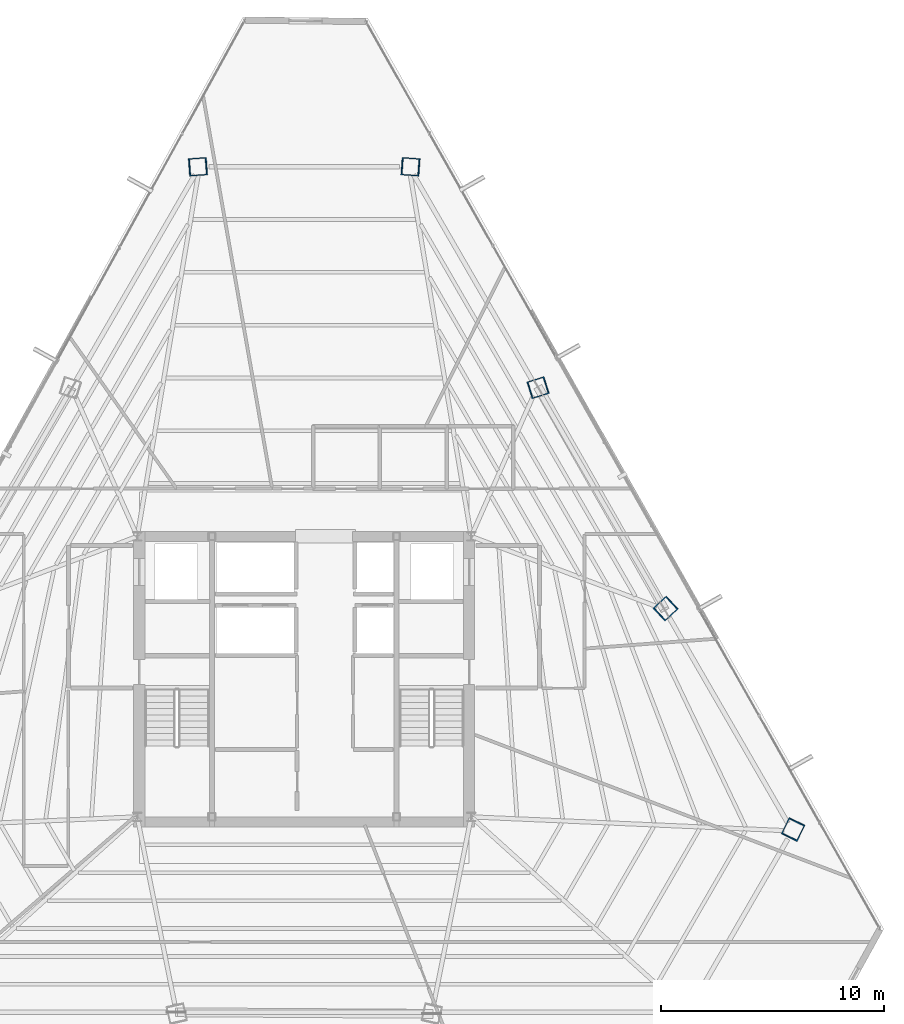
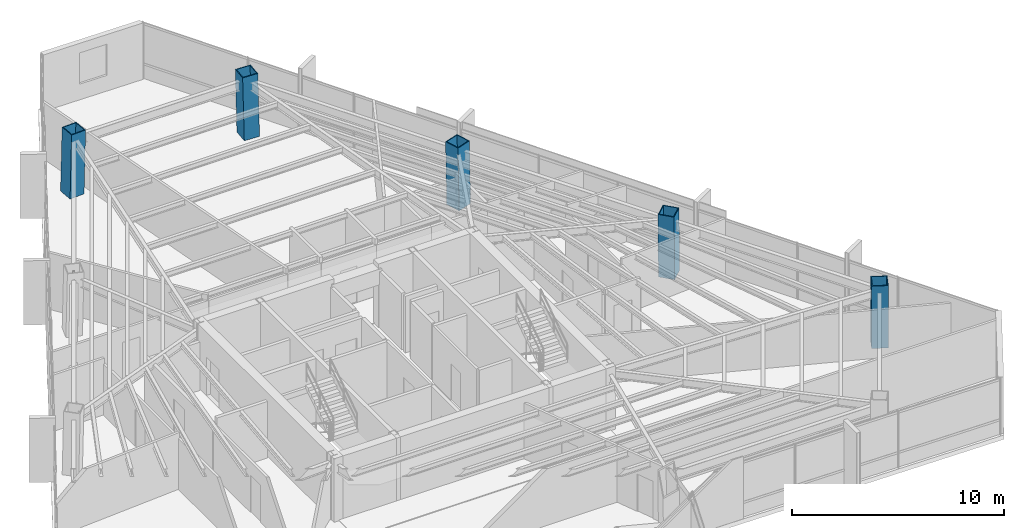
# One storey, part 2 of 40: 5 columns.
"""IFC4 building model written with IfcOpenShell, lengths in metres."""

from ifc_helpers import new_model, si_unit, direction, frame, origin, origin_2d, place, context, subcontext, project, spatial, hollow_rectangle, extrude, source, transform, mapped, material, material_profile, profile_set, type_object, type_shapes, element, save


model = new_model("IFC4")

# Units and contexts
model_context = context("Model", 3, precision=1e-05, world=origin(), true_north=direction((0.0, 1.0)))
body_context = subcontext(model_context, "Body", "Model", "MODEL_VIEW")
ifc_project = project(units=[si_unit("LENGTHUNIT", "METRE"), si_unit("AREAUNIT", "SQUARE_METRE"), si_unit("VOLUMEUNIT", "CUBIC_METRE"), si_unit("PLANEANGLEUNIT", "RADIAN"), si_unit("MASSUNIT", "GRAM", prefix="KILO")], contexts=[model_context])

# Site, building, storey
site_placement = place(None, origin())
site = spatial("IfcSite", under=ifc_project, at=site_placement, CompositionType="ELEMENT")
building_placement = place(site_placement, origin())
building = spatial("IfcBuilding", under=site, at=building_placement, Name="Caelisora Broadcast Tower", CompositionType="ELEMENT")
storey_placement = place(building_placement, frame((0.0, 0.0, 216.89990234375)))
storey = spatial("IfcBuildingStorey", under=building, at=storey_placement, Name="L57", CompositionType="ELEMENT", Elevation=216.89990234375)

# Columns
ifc_material = material(Name="Steel Grade 350 L15 (AS/NZS 3678)", Category="steel")
ifc_material_profile = material_profile(ifc_material, hollow_rectangle(XDim=0.800048828125, YDim=0.800048828125, WallThickness=0.044921875, at=origin_2d()), Name="Steel Grade 350 L15 (AS/NZS 3678)")
ifc_profile_set = profile_set([ifc_material_profile], Name="Steel Grade 350 L15 (AS/NZS 3678)")
column_type = type_object("IfcColumnType", Name="MC05", PredefinedType="COLUMN", material=ifc_profile_set)
shared_shape_1 = source(origin(), body_context, "Body", "SweptSolid", [
    extrude(hollow_rectangle(XDim=0.800048828125, YDim=0.800048828125, WallThickness=0.044921875, at=origin_2d()), origin(), (0.0, 0.0, 1.0), 3.65087890625),
])
for number, where, z_axis, x_axis, name in (
    (1, (54.244140625, 26.765380859375, 0.0), (-0.014912302561, -0.01384236157, 0.999792984702), (0.680325028146, -0.732910537568, 0.0), "L57 column MC05"),
    (2, (48.516845703125, 36.685302734375, 0.0), (-0.019392689002, -0.006085292066, 0.99979342508), (0.299398805134, -0.954128060317, 0.0), "L57 column MC05"),
):
    element("IfcColumn", number, at=place(storey_placement, frame(where, z_axis=z_axis, x_axis=x_axis)), inside=storey, type_object=column_type, Name=name, PredefinedType="COLUMN", context=body_context, shape_type="MappedRepresentation", body=[
        mapped(shared_shape_1, transform((0.0, 0.0, 0.0), scale=1.0)),
    ])
shared_shape_2 = source(origin(), body_context, "Body", "SweptSolid", [
    extrude(hollow_rectangle(XDim=0.800048828125, YDim=0.800048828125, WallThickness=0.044921875, at=origin_2d()), origin(), (0.0, 0.0, 1.0), 3.651123046875),
])
type_shapes(column_type, [shared_shape_1, shared_shape_2])
for number, where, z_axis, x_axis, name in (
    (3, (42.78955078125, 46.605224609375, 0.0), (-0.023871161178, 0.00173851594, 0.999713531581), (-0.07263675076, -0.997358462359, 0.0), "L57 column MC05"),
    (4, (33.21044921875, 46.605224609375, 0.0), (0.023871161178, 0.00173851594, 0.999713531581), (-0.07263675076, 0.997358462359, 0.0), "L57 column MC05"),
    (5, (59.971435546875, 16.84521484375, 0.0), (-0.010431098089, -0.021530856313, 0.999713766245), (0.899947055326, -0.435999194506, 0.0), "L57 column MC05"),
):
    element("IfcColumn", number, at=place(storey_placement, frame(where, z_axis=z_axis, x_axis=x_axis)), inside=storey, type_object=column_type, Name=name, PredefinedType="COLUMN", context=body_context, shape_type="MappedRepresentation", body=[
        mapped(shared_shape_2, transform((0.0, 0.0, 0.0), scale=1.0)),
    ])

save(model, "model.ifc")
